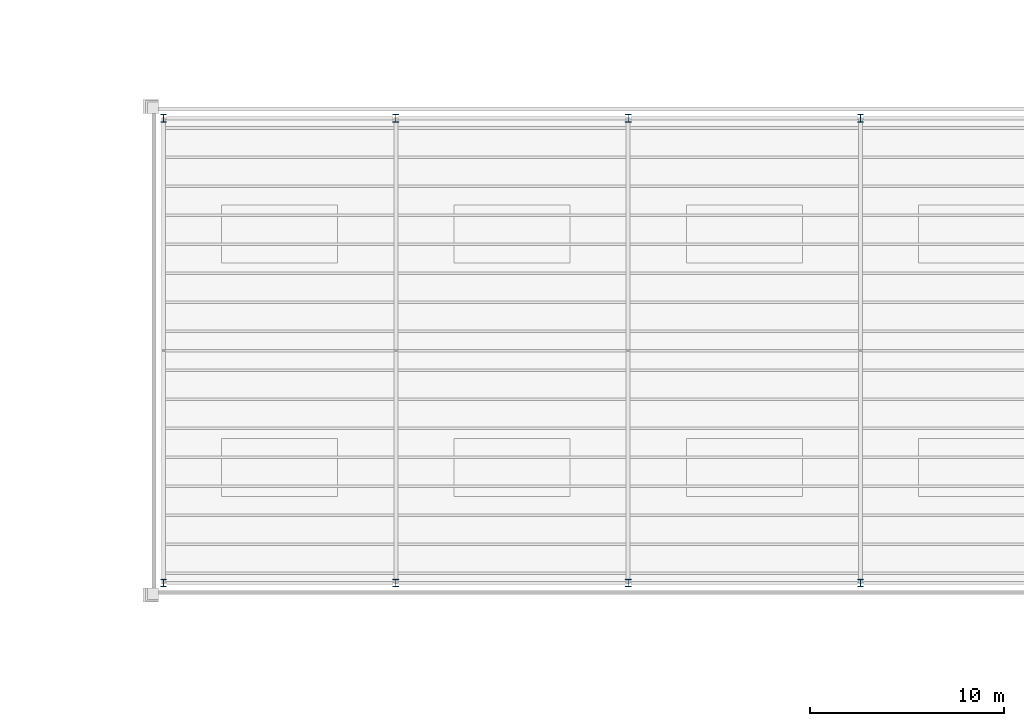
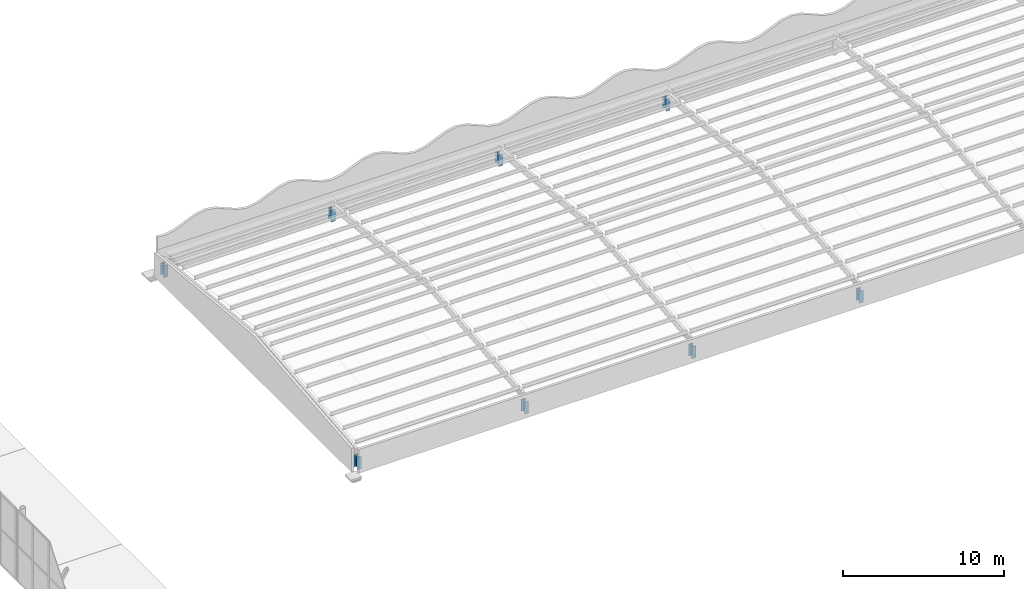
# One storey, part 29 of 170: 8 columns.
"""IFC4 building model written with IfcOpenShell, lengths in metres."""

from ifc_helpers import new_model, si_unit, direction, frame, origin, origin_2d, place, context, subcontext, project, spatial, i_section, extrude, material, material_profile, profile_set, type_object, element, save


model = new_model("IFC4")

# Units and contexts
model_context = context("Model", 3, precision=1e-05, world=origin(), true_north=direction((0.0, 1.0)))
body_context = subcontext(model_context, "Body", "Model", "MODEL_VIEW")
ifc_project = project(units=[si_unit("LENGTHUNIT", "METRE"), si_unit("AREAUNIT", "SQUARE_METRE"), si_unit("VOLUMEUNIT", "CUBIC_METRE"), si_unit("PLANEANGLEUNIT", "RADIAN"), si_unit("MASSUNIT", "GRAM", prefix="KILO")], contexts=[model_context])

# Site, building, storey
site_placement = place(None, origin())
site = spatial("IfcSite", under=ifc_project, at=site_placement, CompositionType="ELEMENT")
building_placement = place(site_placement, origin())
building = spatial("IfcBuilding", under=site, at=building_placement, Name="Ravi Spectrum Wholesale Market", CompositionType="ELEMENT")
storey_placement = place(building_placement, frame((0.0, 0.0, 5.39990234375)))
storey = spatial("IfcBuildingStorey", under=building, at=storey_placement, Name="L01", CompositionType="ELEMENT", Elevation=5.39990234375)

# Columns
ifc_material = material(Name="Steel S355", Category="steel")
ifc_material_profile = material_profile(ifc_material, i_section(OverallWidth=0.300048828125, OverallDepth=0.39990234375, WebThickness=0.013427734375, FlangeThickness=0.02392578125, at=origin_2d()))
ifc_profile_set = profile_set([ifc_material_profile], Name="Steel S355")
column_type = type_object("IfcColumnType", Name="HEB 400 column", PredefinedType="COLUMN", material=ifc_profile_set)
for number, where, z_axis, x_axis, name in (
    (1, (222.0, 162.0, 0.0), (0.0, 0.0, 1.0), (1.0, 0.0, 0.0), "GS-COL-L01-001"),
    (2, (222.0, 186.0, 0.0), (0.0, 0.0, 1.0), (1.0, 0.0, 0.0), "GS-COL-L01-002"),
    (3, (234.0, 162.0, 0.0), (0.0, 0.0, 1.0), (1.0, 0.0, 0.0), "GS-COL-L01-003"),
    (4, (234.0, 186.0, 0.0), (0.0, 0.0, 1.0), (1.0, 0.0, 0.0), "GS-COL-L01-004"),
    (5, (246.0, 162.0, 0.0), (0.0, 0.0, 1.0), (1.0, 0.0, 0.0), "GS-COL-L01-005"),
    (6, (246.0, 186.0, 0.0), (0.0, 0.0, 1.0), (1.0, 0.0, 0.0), "GS-COL-L01-006"),
    (7, (258.0, 162.0, 0.0), (0.0, 0.0, 1.0), (1.0, 0.0, 0.0), "GS-COL-L01-007"),
    (8, (258.0, 186.0, 0.0), (0.0, 0.0, 1.0), (1.0, 0.0, 0.0), "GS-COL-L01-008"),
):
    element("IfcColumn", number, at=place(storey_placement, frame(where, z_axis=z_axis, x_axis=x_axis)), inside=storey, type_object=column_type, Name=name, PredefinedType="COLUMN", context=body_context, shape_type="SweptSolid", body=[
        extrude(i_section(OverallWidth=0.300048828125, OverallDepth=0.39990234375, WebThickness=0.013427734375, FlangeThickness=0.02392578125, at=origin_2d()), origin(), (0.0, 0.0, 1.0), 0.906982421875),
    ])

save(model, "model.ifc")
